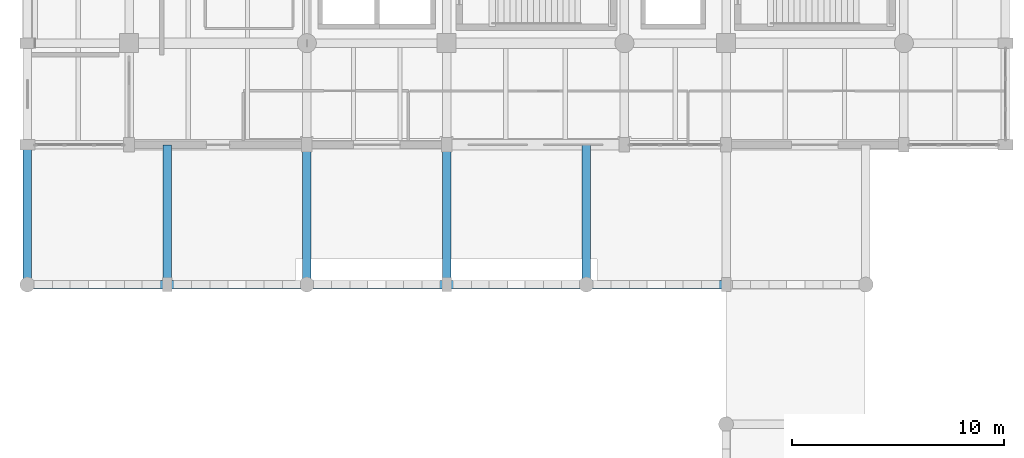
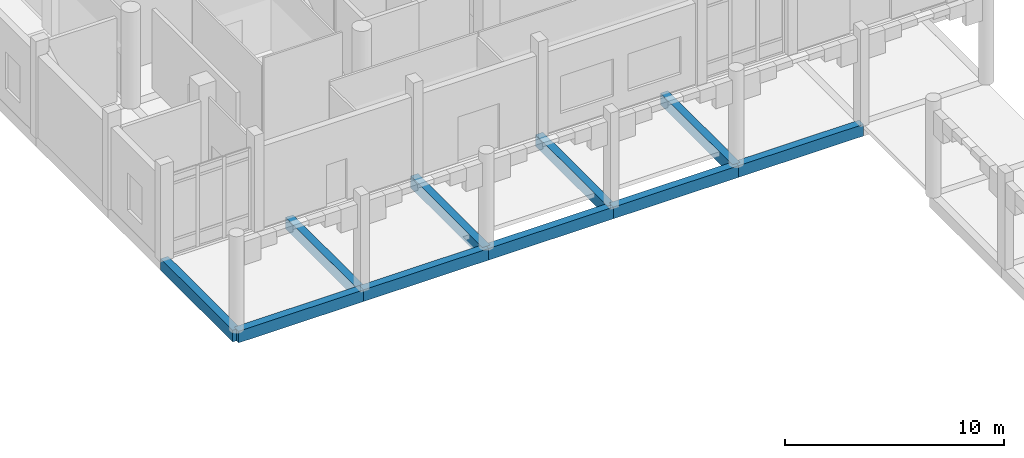
# One storey, part 13 of 72: 10 beams.
"""IFC4 building model written with IfcOpenShell, lengths in metres."""

from ifc_helpers import new_model, si_unit, direction, frame, origin, origin_2d, place, context, subcontext, project, spatial, rectangle, extrude, material, material_profile, profile_set, type_object, element, save


model = new_model("IFC4")

# Units and contexts
model_context = context("Model", 3, precision=1e-05, world=origin(), true_north=direction((0.0, 1.0)))
body_context = subcontext(model_context, "Body", "Model", "MODEL_VIEW")
ifc_project = project(units=[si_unit("LENGTHUNIT", "METRE"), si_unit("AREAUNIT", "SQUARE_METRE"), si_unit("VOLUMEUNIT", "CUBIC_METRE"), si_unit("PLANEANGLEUNIT", "RADIAN"), si_unit("MASSUNIT", "GRAM", prefix="KILO")], contexts=[model_context])

# Site, building, storey
site_placement = place(None, origin())
site = spatial("IfcSite", under=ifc_project, at=site_placement, CompositionType="ELEMENT")
building_placement = place(site_placement, origin())
building = spatial("IfcBuilding", under=site, at=building_placement, Name="Dornvale Research Institute", CompositionType="ELEMENT")
storey_placement = place(building_placement, origin())
storey = spatial("IfcBuildingStorey", under=building, at=storey_placement, Name="L00", CompositionType="ELEMENT", Elevation=0.0)

# Beams
ifc_material = material(Name="Concrete f'c 45 MPa (C35/45)", Category="concrete")
ifc_material_profile = material_profile(ifc_material, rectangle(XDim=0.39990234375, YDim=0.64990234375, at=origin_2d()), Name="RC 400x650")
ifc_profile_set = profile_set([ifc_material_profile], Name="Concrete f'c 45 MPa (C35/45)")
beam_type = type_object("IfcBeamType", Name="Beam_RC400x650_Floor", PredefinedType="BEAM", material=ifc_profile_set)
beam_1_placement = place(storey_placement, frame((0.0, 92.39990234375, -0.324951171875), z_axis=(1.0, 0.0, 0.0), x_axis=(0.0, 1.0, 0.0)))
element("IfcBeam", 1, at=beam_1_placement, inside=storey, type_object=beam_type, Name="L00 arcade grade beam #1840", PredefinedType="BEAM", context=body_context, shape_type="SweptSolid", body=[
    extrude(rectangle(XDim=0.39990234375, YDim=0.64990234375, at=origin_2d()), origin(), (0.0, 0.0, 1.0), 6.60009765625),
])
beam_2_placement = place(storey_placement, frame((6.60009765625, 92.39990234375, -0.324951171875), z_axis=(1.0, 0.0, 0.0), x_axis=(0.0, 1.0, 0.0)))
element("IfcBeam", 2, at=beam_2_placement, inside=storey, type_object=beam_type, Name="L00 arcade grade beam #1842", PredefinedType="BEAM", context=body_context, shape_type="SweptSolid", body=[
    extrude(rectangle(XDim=0.39990234375, YDim=0.64990234375, at=origin_2d()), origin(), (0.0, 0.0, 1.0), 6.599853515625),
])
beam_3_placement = place(storey_placement, frame((13.199951171875, 92.39990234375, -0.324951171875), z_axis=(1.0, 0.0, 0.0), x_axis=(0.0, 1.0, 0.0)))
element("IfcBeam", 3, at=beam_3_placement, inside=storey, type_object=beam_type, Name="L00 arcade grade beam #1844", PredefinedType="BEAM", context=body_context, shape_type="SweptSolid", body=[
    extrude(rectangle(XDim=0.39990234375, YDim=0.64990234375, at=origin_2d()), origin(), (0.0, 0.0, 1.0), 6.60009765625),
])
beam_4_placement = place(storey_placement, frame((19.800048828125, 92.39990234375, -0.324951171875), z_axis=(1.0, 0.0, 0.0), x_axis=(0.0, 1.0, 0.0)))
element("IfcBeam", 4, at=beam_4_placement, inside=storey, type_object=beam_type, Name="L00 arcade grade beam #1846", PredefinedType="BEAM", context=body_context, shape_type="SweptSolid", body=[
    extrude(rectangle(XDim=0.39990234375, YDim=0.64990234375, at=origin_2d()), origin(), (0.0, 0.0, 1.0), 6.599853515625),
])
for number, where, z_axis, x_axis, name in (
    (5, (26.39990234375, 92.39990234375, -0.324951171875), (1.0, 0.0, 0.0), (0.0, 1.0, 0.0), "L00 arcade grade beam #1848"),
    (6, (0.0, 92.39990234375, -0.324951171875), (0.0, 1.0, 0.0), (-1.0, 0.0, 0.0), "L00 arcade tie beam #1852"),
    (7, (6.60009765625, 92.39990234375, -0.324951171875), (0.0, 1.0, 0.0), (-1.0, 0.0, 0.0), "L00 arcade tie beam #1854"),
    (8, (13.199951171875, 92.39990234375, -0.324951171875), (0.0, 1.0, 0.0), (-1.0, 0.0, 0.0), "L00 arcade tie beam #1856"),
    (9, (19.800048828125, 92.39990234375, -0.324951171875), (0.0, 1.0, 0.0), (-1.0, 0.0, 0.0), "L00 arcade tie beam #1858"),
    (10, (26.39990234375, 92.39990234375, -0.324951171875), (0.0, 1.0, 0.0), (-1.0, 0.0, 0.0), "L00 arcade tie beam #1860"),
):
    element("IfcBeam", number, at=place(storey_placement, frame(where, z_axis=z_axis, x_axis=x_axis)), inside=storey, type_object=beam_type, Name=name, PredefinedType="BEAM", context=body_context, shape_type="SweptSolid", body=[
        extrude(rectangle(XDim=0.39990234375, YDim=0.64990234375, at=origin_2d()), origin(), (0.0, 0.0, 1.0), 6.60009765625),
    ])

save(model, "model.ifc")
